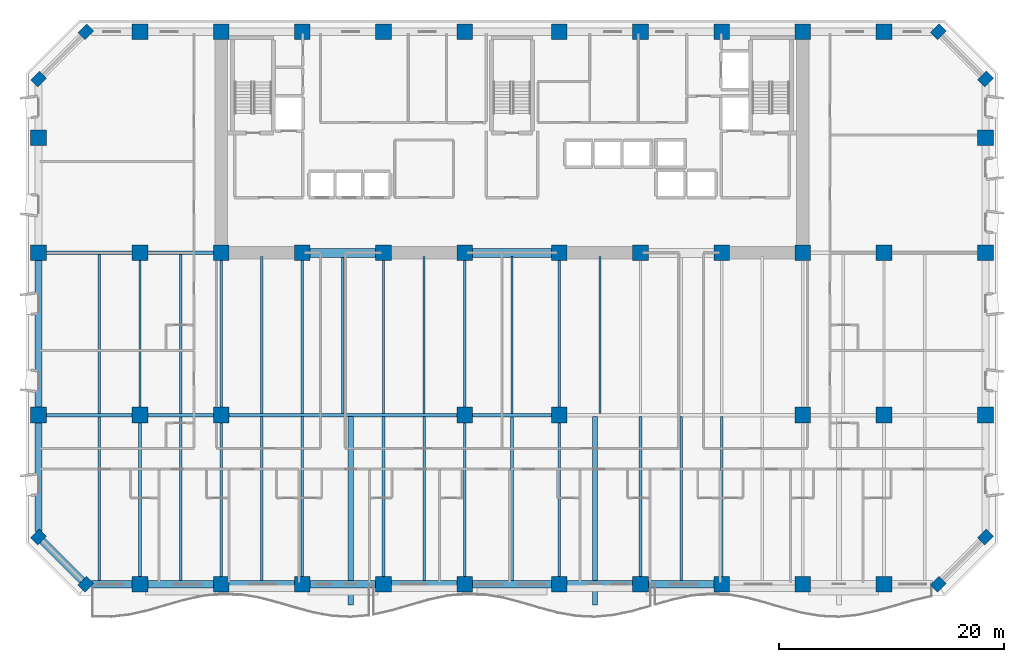
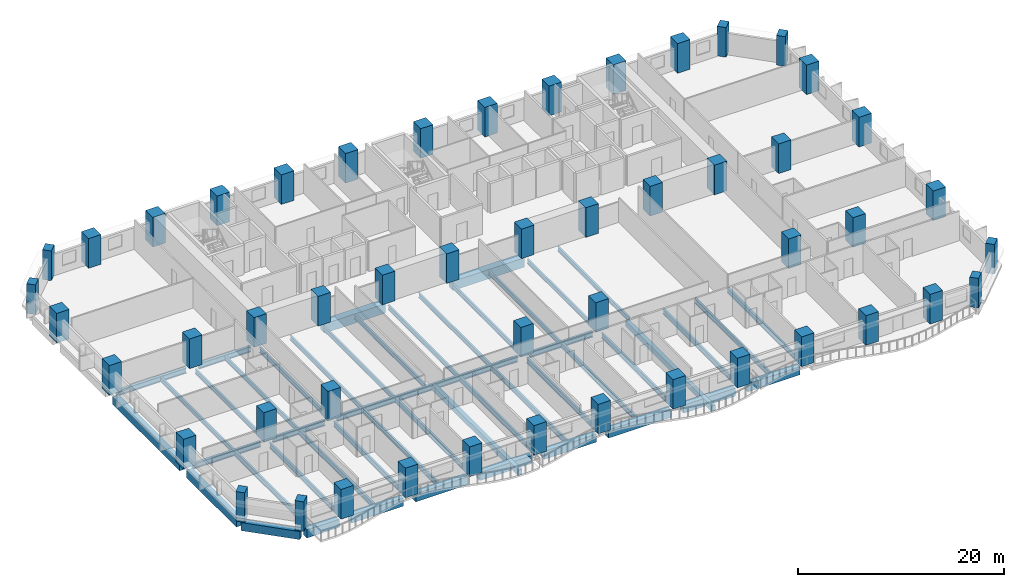
# One storey, part 1 of 15: 50 columns, 48 beams.
"""IFC4 building model written with IfcOpenShell, lengths in metres."""

from ifc_helpers import new_model, si_unit, direction, frame, origin, origin_2d, place, context, subcontext, project, spatial, rectangle, i_section, extrude, material, material_profile, profile_set, type_object, element, save


model = new_model("IFC4")

# Units and contexts
model_context = context("Model", 3, precision=1e-05, world=origin(), true_north=direction((0.0, 1.0)))
body_context = subcontext(model_context, "Body", "Model", "MODEL_VIEW")
ifc_project = project(units=[si_unit("LENGTHUNIT", "METRE"), si_unit("AREAUNIT", "SQUARE_METRE"), si_unit("VOLUMEUNIT", "CUBIC_METRE"), si_unit("PLANEANGLEUNIT", "RADIAN"), si_unit("MASSUNIT", "GRAM", prefix="KILO")], contexts=[model_context])

# Site, building, storey
site_placement = place(None, origin())
site = spatial("IfcSite", under=ifc_project, at=site_placement, CompositionType="ELEMENT")
building_placement = place(site_placement, origin())
building = spatial("IfcBuilding", under=site, at=building_placement, Name="Kaelvorn Grand Hotel", CompositionType="ELEMENT")
storey_placement = place(building_placement, frame((0.0, 0.0, 46.39990234375)))
storey = spatial("IfcBuildingStorey", under=building, at=storey_placement, Name="L09", CompositionType="ELEMENT", Elevation=46.39990234375)

# Columns
ifc_material_1 = material(Name="Concrete C80/95", Category="concrete")
ifc_material_profile_1 = material_profile(ifc_material_1, rectangle(XDim=1.10009765625, YDim=0.89990234375, at=origin_2d()), Name="RC PILASTER 1100x900")
ifc_profile_set_1 = profile_set([ifc_material_profile_1], Name="Concrete C80/95")
column_type_1 = type_object("IfcColumnType", Name="COL-PIL-1100x900-C80", PredefinedType="PILASTER", material=ifc_profile_set_1)
for number, where, z_axis, x_axis, name in (
    (1, (4.199951171875, 0.0, 0.0), (0.0, 0.0, 1.0), (0.707106781187, 0.707106781187, 0.0), "L09 Structural Column CH-01"),
    (2, (79.800048828125, 0.0, 0.0), (0.0, 0.0, 1.0), (0.707106781187, 0.707106781187, 0.0), "L09 Structural Column CH-02"),
    (3, (84.0, 4.199951171875, 0.0), (0.0, 0.0, 1.0), (0.707106781187, 0.707106781187, 0.0), "L09 Structural Column CH-03"),
    (4, (84.0, 44.800048828125, 0.0), (0.0, 0.0, 1.0), (0.707106781187, 0.707106781187, 0.0), "L09 Structural Column CH-04"),
    (5, (79.800048828125, 49.0, 0.0), (0.0, 0.0, 1.0), (0.707106781187, 0.707106781187, 0.0), "L09 Structural Column CH-05"),
    (6, (4.199951171875, 49.0, 0.0), (0.0, 0.0, 1.0), (0.707106781187, 0.707106781187, 0.0), "L09 Structural Column CH-06"),
    (7, (0.0, 44.800048828125, 0.0), (0.0, 0.0, 1.0), (0.707106781187, 0.707106781187, 0.0), "L09 Structural Column CH-07"),
    (8, (0.0, 4.199951171875, 0.0), (0.0, 0.0, 1.0), (0.707106781187, 0.707106781187, 0.0), "L09 Structural Column CH-08"),
):
    element("IfcColumn", number, at=place(storey_placement, frame(where, z_axis=z_axis, x_axis=x_axis)), inside=storey, type_object=column_type_1, Name=name, PredefinedType="PILASTER", context=body_context, shape_type="SweptSolid", body=[
        extrude(rectangle(XDim=1.10009765625, YDim=0.89990234375, at=origin_2d()), origin(), (0.0, 0.0, 1.0), 3.510009765625),
    ])
ifc_material_profile_2 = material_profile(ifc_material_1, rectangle(XDim=1.39990234375, YDim=1.39990234375, at=origin_2d()), Name="RC COL 1400x1400")
ifc_profile_set_2 = profile_set([ifc_material_profile_2], Name="Concrete C80/95")
column_type_2 = type_object("IfcColumnType", Name="COL-RC-1400-C80", PredefinedType="COLUMN", material=ifc_profile_set_2)
for number, where, z_axis, x_axis, name in (
    (9, (9.0, 0.0, 0.0), (0.0, 0.0, 1.0), (1.0, 0.0, 0.0), "L09 Structural Column S-01"),
    (10, (16.199951171875, 0.0, 0.0), (0.0, 0.0, 1.0), (1.0, 0.0, 0.0), "L09 Structural Column S-02"),
    (11, (23.39990234375, 0.0, 0.0), (0.0, 0.0, 1.0), (1.0, 0.0, 0.0), "L09 Structural Column S-03"),
    (12, (30.60009765625, 0.0, 0.0), (0.0, 0.0, 1.0), (1.0, 0.0, 0.0), "L09 Structural Column S-04"),
    (13, (37.800048828125, 0.0, 0.0), (0.0, 0.0, 1.0), (1.0, 0.0, 0.0), "L09 Structural Column S-05"),
    (14, (46.199951171875, 0.0, 0.0), (0.0, 0.0, 1.0), (1.0, 0.0, 0.0), "L09 Structural Column S-06"),
    (15, (53.39990234375, 0.0, 0.0), (0.0, 0.0, 1.0), (1.0, 0.0, 0.0), "L09 Structural Column S-07"),
    (16, (60.60009765625, 0.0, 0.0), (0.0, 0.0, 1.0), (1.0, 0.0, 0.0), "L09 Structural Column S-08"),
    (17, (67.800048828125, 0.0, 0.0), (0.0, 0.0, 1.0), (1.0, 0.0, 0.0), "L09 Structural Column S-09"),
    (18, (75.0, 0.0, 0.0), (0.0, 0.0, 1.0), (1.0, 0.0, 0.0), "L09 Structural Column S-10"),
    (19, (0.0, 15.0, 0.0), (0.0, 0.0, 1.0), (1.0, 0.0, 0.0), "L09 Structural Column W-01"),
    (20, (84.0, 15.0, 0.0), (0.0, 0.0, 1.0), (1.0, 0.0, 0.0), "L09 Structural Column E-01"),
    (21, (0.0, 29.39990234375, 0.0), (0.0, 0.0, 1.0), (1.0, 0.0, 0.0), "L09 Structural Column W-02"),
    (22, (84.0, 29.39990234375, 0.0), (0.0, 0.0, 1.0), (1.0, 0.0, 0.0), "L09 Structural Column E-02"),
    (23, (0.0, 39.60009765625, 0.0), (0.0, 0.0, 1.0), (1.0, 0.0, 0.0), "L09 Structural Column W-03"),
    (24, (84.0, 39.60009765625, 0.0), (0.0, 0.0, 1.0), (1.0, 0.0, 0.0), "L09 Structural Column E-03"),
    (25, (9.0, 15.0, 0.0), (0.0, 0.0, 1.0), (1.0, 0.0, 0.0), "L09 Structural Column M-01"),
    (26, (16.199951171875, 15.0, 0.0), (0.0, 0.0, 1.0), (1.0, 0.0, 0.0), "L09 Structural Column M-02"),
    (27, (37.800048828125, 15.0, 0.0), (0.0, 0.0, 1.0), (1.0, 0.0, 0.0), "L09 Structural Column M-03"),
    (28, (46.199951171875, 15.0, 0.0), (0.0, 0.0, 1.0), (1.0, 0.0, 0.0), "L09 Structural Column M-04"),
    (29, (67.800048828125, 15.0, 0.0), (0.0, 0.0, 1.0), (1.0, 0.0, 0.0), "L09 Structural Column M-05"),
    (30, (75.0, 15.0, 0.0), (0.0, 0.0, 1.0), (1.0, 0.0, 0.0), "L09 Structural Column M-06"),
    (31, (9.0, 29.39990234375, 0.0), (0.0, 0.0, 1.0), (1.0, 0.0, 0.0), "L09 Structural Column CR1-01"),
    (32, (9.0, 49.0, 0.0), (0.0, 0.0, 1.0), (1.0, 0.0, 0.0), "L09 Structural Column CR2-01"),
    (33, (16.199951171875, 29.39990234375, 0.0), (0.0, 0.0, 1.0), (1.0, 0.0, 0.0), "L09 Structural Column CR1-02"),
    (34, (16.199951171875, 49.0, 0.0), (0.0, 0.0, 1.0), (1.0, 0.0, 0.0), "L09 Structural Column CR2-02"),
    (35, (23.39990234375, 29.39990234375, 0.0), (0.0, 0.0, 1.0), (1.0, 0.0, 0.0), "L09 Structural Column CR1-03"),
    (36, (23.39990234375, 49.0, 0.0), (0.0, 0.0, 1.0), (1.0, 0.0, 0.0), "L09 Structural Column CR2-03"),
    (37, (30.60009765625, 29.39990234375, 0.0), (0.0, 0.0, 1.0), (1.0, 0.0, 0.0), "L09 Structural Column CR1-04"),
    (38, (30.60009765625, 49.0, 0.0), (0.0, 0.0, 1.0), (1.0, 0.0, 0.0), "L09 Structural Column CR2-04"),
    (39, (37.800048828125, 29.39990234375, 0.0), (0.0, 0.0, 1.0), (1.0, 0.0, 0.0), "L09 Structural Column CR1-05"),
    (40, (37.800048828125, 49.0, 0.0), (0.0, 0.0, 1.0), (1.0, 0.0, 0.0), "L09 Structural Column CR2-05"),
    (41, (46.199951171875, 29.39990234375, 0.0), (0.0, 0.0, 1.0), (1.0, 0.0, 0.0), "L09 Structural Column CR1-06"),
    (42, (46.199951171875, 49.0, 0.0), (0.0, 0.0, 1.0), (1.0, 0.0, 0.0), "L09 Structural Column CR2-06"),
    (43, (53.39990234375, 29.39990234375, 0.0), (0.0, 0.0, 1.0), (1.0, 0.0, 0.0), "L09 Structural Column CR1-07"),
    (44, (53.39990234375, 49.0, 0.0), (0.0, 0.0, 1.0), (1.0, 0.0, 0.0), "L09 Structural Column CR2-07"),
    (45, (60.60009765625, 29.39990234375, 0.0), (0.0, 0.0, 1.0), (1.0, 0.0, 0.0), "L09 Structural Column CR1-08"),
    (46, (60.60009765625, 49.0, 0.0), (0.0, 0.0, 1.0), (1.0, 0.0, 0.0), "L09 Structural Column CR2-08"),
    (47, (67.800048828125, 29.39990234375, 0.0), (0.0, 0.0, 1.0), (1.0, 0.0, 0.0), "L09 Structural Column CR1-09"),
    (48, (67.800048828125, 49.0, 0.0), (0.0, 0.0, 1.0), (1.0, 0.0, 0.0), "L09 Structural Column CR2-09"),
    (49, (75.0, 29.39990234375, 0.0), (0.0, 0.0, 1.0), (1.0, 0.0, 0.0), "L09 Structural Column CR1-10"),
    (50, (75.0, 49.0, 0.0), (0.0, 0.0, 1.0), (1.0, 0.0, 0.0), "L09 Structural Column CR2-10"),
):
    element("IfcColumn", number, at=place(storey_placement, frame(where, z_axis=z_axis, x_axis=x_axis)), inside=storey, type_object=column_type_2, Name=name, PredefinedType="COLUMN", context=body_context, shape_type="SweptSolid", body=[
        extrude(rectangle(XDim=1.39990234375, YDim=1.39990234375, at=origin_2d()), origin(), (0.0, 0.0, 1.0), 3.510009765625),
    ])

# Beams
ifc_material_2 = material(Name="Steel S355", Category="steel")
ifc_material_profile_3 = material_profile(ifc_material_2, i_section(OverallWidth=0.300048828125, OverallDepth=0.64990234375, WebThickness=0.01611328125, FlangeThickness=0.031005859375, FilletRadius=0.027099609375, at=origin_2d()), Name="HEB 650")
ifc_profile_set_3 = profile_set([ifc_material_profile_3], Name="Steel S355")
beam_type_1 = type_object("IfcBeamType", Name="BM-G-HEB650-S355", PredefinedType="BEAM", material=ifc_profile_set_3)
beam_1_placement = place(storey_placement, frame((0.68505859375, 15.0, -0.56494140625), z_axis=(1.0, 0.0, 0.0), x_axis=(0.0, 1.0, 0.0)))
element("IfcBeam", 51, at=beam_1_placement, inside=storey, type_object=beam_type_1, Name="L09 Primary Spine Steel Girder G-15 01", PredefinedType="BEAM", context=body_context, shape_type="SweptSolid", body=[
    extrude(i_section(OverallWidth=0.300048828125, OverallDepth=0.64990234375, WebThickness=0.01611328125, FlangeThickness=0.031005859375, FilletRadius=0.027099609375, at=origin_2d()), origin(), (0.0, 0.0, 1.0), 7.6298828125),
])
beam_2_placement = place(storey_placement, frame((9.68505859375, 15.0, -0.56494140625), z_axis=(1.0, 0.0, 0.0), x_axis=(0.0, 1.0, 0.0)))
element("IfcBeam", 52, at=beam_2_placement, inside=storey, type_object=beam_type_1, Name="L09 Primary Spine Steel Girder G-15 02", PredefinedType="BEAM", context=body_context, shape_type="SweptSolid", body=[
    extrude(i_section(OverallWidth=0.300048828125, OverallDepth=0.64990234375, WebThickness=0.01611328125, FlangeThickness=0.031005859375, FilletRadius=0.027099609375, at=origin_2d()), origin(), (0.0, 0.0, 1.0), 5.829833984375),
])
beam_3_placement = place(storey_placement, frame((16.885009765625, 15.0, -0.56494140625), z_axis=(1.0, 0.0, 0.0), x_axis=(0.0, 1.0, 0.0)))
element("IfcBeam", 53, at=beam_3_placement, inside=storey, type_object=beam_type_1, Name="L09 Primary Spine Steel Girder G-15 03", PredefinedType="BEAM", context=body_context, shape_type="SweptSolid", body=[
    extrude(i_section(OverallWidth=0.300048828125, OverallDepth=0.64990234375, WebThickness=0.01611328125, FlangeThickness=0.031005859375, FilletRadius=0.027099609375, at=origin_2d()), origin(), (0.0, 0.0, 1.0), 20.22998046875),
])
beam_4_placement = place(storey_placement, frame((38.485107421875, 15.0, -0.56494140625), z_axis=(1.0, 0.0, 0.0), x_axis=(0.0, 1.0, 0.0)))
element("IfcBeam", 54, at=beam_4_placement, inside=storey, type_object=beam_type_1, Name="L09 Primary Spine Steel Girder G-15 04", PredefinedType="BEAM", context=body_context, shape_type="SweptSolid", body=[
    extrude(i_section(OverallWidth=0.300048828125, OverallDepth=0.64990234375, WebThickness=0.01611328125, FlangeThickness=0.031005859375, FilletRadius=0.027099609375, at=origin_2d()), origin(), (0.0, 0.0, 1.0), 7.02978515625),
])
beam_5_placement = place(storey_placement, frame((0.68505859375, 29.39990234375, -0.56494140625), z_axis=(1.0, 0.0, 0.0), x_axis=(0.0, 1.0, 0.0)))
element("IfcBeam", 55, at=beam_5_placement, inside=storey, type_object=beam_type_1, Name="L09 West Core Wing Steel Girder G-29W 01", PredefinedType="BEAM", context=body_context, shape_type="SweptSolid", body=[
    extrude(i_section(OverallWidth=0.300048828125, OverallDepth=0.64990234375, WebThickness=0.01611328125, FlangeThickness=0.031005859375, FilletRadius=0.027099609375, at=origin_2d()), origin(), (0.0, 0.0, 1.0), 7.6298828125),
])
beam_6_placement = place(storey_placement, frame((9.68505859375, 29.39990234375, -0.56494140625), z_axis=(1.0, 0.0, 0.0), x_axis=(0.0, 1.0, 0.0)))
element("IfcBeam", 56, at=beam_6_placement, inside=storey, type_object=beam_type_1, Name="L09 West Core Wing Steel Girder G-29W 02", PredefinedType="BEAM", context=body_context, shape_type="SweptSolid", body=[
    extrude(i_section(OverallWidth=0.300048828125, OverallDepth=0.64990234375, WebThickness=0.01611328125, FlangeThickness=0.031005859375, FilletRadius=0.027099609375, at=origin_2d()), origin(), (0.0, 0.0, 1.0), 5.829833984375),
])
ifc_material_profile_4 = material_profile(ifc_material_2, i_section(OverallWidth=0.209228515625, OverallDepth=0.533203125, WebThickness=0.010009765625, FlangeThickness=0.015625, FilletRadius=0.0126953125, at=origin_2d()), Name="UB 533x210x92")
ifc_profile_set_4 = profile_set([ifc_material_profile_4], Name="Steel S355")
beam_type_2 = type_object("IfcBeamType", Name="BM-J-UB533-S355", PredefinedType="JOIST", material=ifc_profile_set_4)
beam_7_placement = place(storey_placement, frame((5.39990234375, 15.135009765625, -0.50634765625), z_axis=(0.0, 1.0, 0.0), x_axis=(-1.0, 0.0, 0.0)))
element("IfcBeam", 57, at=beam_7_placement, inside=storey, type_object=beam_type_2, Name="L09 Composite Floor Joist JM-02", PredefinedType="JOIST", context=body_context, shape_type="SweptSolid", body=[
    extrude(i_section(OverallWidth=0.209228515625, OverallDepth=0.533203125, WebThickness=0.010009765625, FlangeThickness=0.015625, FilletRadius=0.0126953125, at=origin_2d()), origin(), (0.0, 0.0, 1.0), 14.1298828125),
])
beam_8_placement = place(storey_placement, frame((9.0, 15.68505859375, -0.50634765625), z_axis=(0.0, 1.0, 0.0), x_axis=(-1.0, 0.0, 0.0)))
element("IfcBeam", 58, at=beam_8_placement, inside=storey, type_object=beam_type_2, Name="L09 Composite Floor Joist JM-03", PredefinedType="JOIST", context=body_context, shape_type="SweptSolid", body=[
    extrude(i_section(OverallWidth=0.209228515625, OverallDepth=0.533203125, WebThickness=0.010009765625, FlangeThickness=0.015625, FilletRadius=0.0126953125, at=origin_2d()), origin(), (0.0, 0.0, 1.0), 13.030029296875),
])
beam_9_placement = place(storey_placement, frame((12.60009765625, 15.135009765625, -0.50634765625), z_axis=(0.0, 1.0, 0.0), x_axis=(-1.0, 0.0, 0.0)))
element("IfcBeam", 59, at=beam_9_placement, inside=storey, type_object=beam_type_2, Name="L09 Composite Floor Joist JM-04", PredefinedType="JOIST", context=body_context, shape_type="SweptSolid", body=[
    extrude(i_section(OverallWidth=0.209228515625, OverallDepth=0.533203125, WebThickness=0.010009765625, FlangeThickness=0.015625, FilletRadius=0.0126953125, at=origin_2d()), origin(), (0.0, 0.0, 1.0), 14.1298828125),
])
beam_10_placement = place(storey_placement, frame((16.199951171875, 15.68505859375, -0.50634765625), z_axis=(0.0, 1.0, 0.0), x_axis=(-1.0, 0.0, 0.0)))
element("IfcBeam", 60, at=beam_10_placement, inside=storey, type_object=beam_type_2, Name="L09 Composite Floor Joist JM-05", PredefinedType="JOIST", context=body_context, shape_type="SweptSolid", body=[
    extrude(i_section(OverallWidth=0.209228515625, OverallDepth=0.533203125, WebThickness=0.010009765625, FlangeThickness=0.015625, FilletRadius=0.0126953125, at=origin_2d()), origin(), (0.0, 0.0, 1.0), 13.030029296875),
])
beam_11_placement = place(storey_placement, frame((19.800048828125, 15.135009765625, -0.50634765625), z_axis=(0.0, 1.0, 0.0), x_axis=(-1.0, 0.0, 0.0)))
element("IfcBeam", 61, at=beam_11_placement, inside=storey, type_object=beam_type_2, Name="L09 Composite Floor Joist JM-06", PredefinedType="JOIST", context=body_context, shape_type="SweptSolid", body=[
    extrude(i_section(OverallWidth=0.209228515625, OverallDepth=0.533203125, WebThickness=0.010009765625, FlangeThickness=0.015625, FilletRadius=0.0126953125, at=origin_2d()), origin(), (0.0, 0.0, 1.0), 13.925048828125),
])
beam_12_placement = place(storey_placement, frame((23.39990234375, 15.135009765625, -0.50634765625), z_axis=(0.0, 1.0, 0.0), x_axis=(-1.0, 0.0, 0.0)))
element("IfcBeam", 62, at=beam_12_placement, inside=storey, type_object=beam_type_2, Name="L09 Composite Floor Joist JM-07", PredefinedType="JOIST", context=body_context, shape_type="SweptSolid", body=[
    extrude(i_section(OverallWidth=0.209228515625, OverallDepth=0.533203125, WebThickness=0.010009765625, FlangeThickness=0.015625, FilletRadius=0.0126953125, at=origin_2d()), origin(), (0.0, 0.0, 1.0), 13.580078125),
])
beam_13_placement = place(storey_placement, frame((27.0, 15.135009765625, -0.50634765625), z_axis=(0.0, 1.0, 0.0), x_axis=(-1.0, 0.0, 0.0)))
element("IfcBeam", 63, at=beam_13_placement, inside=storey, type_object=beam_type_2, Name="L09 Composite Floor Joist JM-08", PredefinedType="JOIST", context=body_context, shape_type="SweptSolid", body=[
    extrude(i_section(OverallWidth=0.209228515625, OverallDepth=0.533203125, WebThickness=0.010009765625, FlangeThickness=0.015625, FilletRadius=0.0126953125, at=origin_2d()), origin(), (0.0, 0.0, 1.0), 13.925048828125),
])
beam_14_placement = place(storey_placement, frame((30.60009765625, 15.135009765625, -0.50634765625), z_axis=(0.0, 1.0, 0.0), x_axis=(-1.0, 0.0, 0.0)))
element("IfcBeam", 64, at=beam_14_placement, inside=storey, type_object=beam_type_2, Name="L09 Composite Floor Joist JM-09", PredefinedType="JOIST", context=body_context, shape_type="SweptSolid", body=[
    extrude(i_section(OverallWidth=0.209228515625, OverallDepth=0.533203125, WebThickness=0.010009765625, FlangeThickness=0.015625, FilletRadius=0.0126953125, at=origin_2d()), origin(), (0.0, 0.0, 1.0), 13.580078125),
])
beam_15_placement = place(storey_placement, frame((34.199951171875, 15.135009765625, -0.50634765625), z_axis=(0.0, 1.0, 0.0), x_axis=(-1.0, 0.0, 0.0)))
element("IfcBeam", 65, at=beam_15_placement, inside=storey, type_object=beam_type_2, Name="L09 Composite Floor Joist JM-10", PredefinedType="JOIST", context=body_context, shape_type="SweptSolid", body=[
    extrude(i_section(OverallWidth=0.209228515625, OverallDepth=0.533203125, WebThickness=0.010009765625, FlangeThickness=0.015625, FilletRadius=0.0126953125, at=origin_2d()), origin(), (0.0, 0.0, 1.0), 13.925048828125),
])
beam_16_placement = place(storey_placement, frame((37.800048828125, 15.68505859375, -0.50634765625), z_axis=(0.0, 1.0, 0.0), x_axis=(-1.0, 0.0, 0.0)))
element("IfcBeam", 66, at=beam_16_placement, inside=storey, type_object=beam_type_2, Name="L09 Composite Floor Joist JM-11", PredefinedType="JOIST", context=body_context, shape_type="SweptSolid", body=[
    extrude(i_section(OverallWidth=0.209228515625, OverallDepth=0.533203125, WebThickness=0.010009765625, FlangeThickness=0.015625, FilletRadius=0.0126953125, at=origin_2d()), origin(), (0.0, 0.0, 1.0), 13.030029296875),
])
beam_17_placement = place(storey_placement, frame((42.0, 15.135009765625, -0.50634765625), z_axis=(0.0, 1.0, 0.0), x_axis=(-1.0, 0.0, 0.0)))
element("IfcBeam", 67, at=beam_17_placement, inside=storey, type_object=beam_type_2, Name="L09 Composite Floor Joist JM-12", PredefinedType="JOIST", context=body_context, shape_type="SweptSolid", body=[
    extrude(i_section(OverallWidth=0.209228515625, OverallDepth=0.533203125, WebThickness=0.010009765625, FlangeThickness=0.015625, FilletRadius=0.0126953125, at=origin_2d()), origin(), (0.0, 0.0, 1.0), 13.925048828125),
])
beam_18_placement = place(storey_placement, frame((46.199951171875, 15.68505859375, -0.50634765625), z_axis=(0.0, 1.0, 0.0), x_axis=(-1.0, 0.0, 0.0)))
element("IfcBeam", 68, at=beam_18_placement, inside=storey, type_object=beam_type_2, Name="L09 Composite Floor Joist JM-13", PredefinedType="JOIST", context=body_context, shape_type="SweptSolid", body=[
    extrude(i_section(OverallWidth=0.209228515625, OverallDepth=0.533203125, WebThickness=0.010009765625, FlangeThickness=0.015625, FilletRadius=0.0126953125, at=origin_2d()), origin(), (0.0, 0.0, 1.0), 13.030029296875),
])
beam_19_placement = place(storey_placement, frame((49.800048828125, 15.135009765625, -0.50634765625), z_axis=(0.0, 1.0, 0.0), x_axis=(-1.0, 0.0, 0.0)))
element("IfcBeam", 69, at=beam_19_placement, inside=storey, type_object=beam_type_2, Name="L09 Composite Floor Joist JM-14", PredefinedType="JOIST", context=body_context, shape_type="SweptSolid", body=[
    extrude(i_section(OverallWidth=0.209228515625, OverallDepth=0.533203125, WebThickness=0.010009765625, FlangeThickness=0.015625, FilletRadius=0.0126953125, at=origin_2d()), origin(), (0.0, 0.0, 1.0), 13.925048828125),
])
ifc_material_profile_5 = material_profile(ifc_material_2, i_section(OverallWidth=0.22900390625, OverallDepth=0.6123046875, WebThickness=0.011962890625, FlangeThickness=0.01953125, FilletRadius=0.0126953125, at=origin_2d()), Name="UB 610x229x125")
ifc_profile_set_5 = profile_set([ifc_material_profile_5], Name="Steel S355")
beam_type_3 = type_object("IfcBeamType", Name="BM-J-UB610-S355", PredefinedType="JOIST", material=ifc_profile_set_5)
beam_20_placement = place(storey_placement, frame((5.39990234375, 0.31005859375, -0.5458984375), z_axis=(0.0, 1.0, 0.0), x_axis=(-1.0, 0.0, 0.0)))
element("IfcBeam", 70, at=beam_20_placement, inside=storey, type_object=beam_type_3, Name="L09 Composite Floor Joist JS-02", PredefinedType="JOIST", context=body_context, shape_type="SweptSolid", body=[
    extrude(i_section(OverallWidth=0.22900390625, OverallDepth=0.6123046875, WebThickness=0.011962890625, FlangeThickness=0.01953125, FilletRadius=0.0126953125, at=origin_2d()), origin(), (0.0, 0.0, 1.0), 14.554931640625),
])
beam_21_placement = place(storey_placement, frame((9.0, 0.68505859375, -0.5458984375), z_axis=(0.0, 1.0, 0.0), x_axis=(-1.0, 0.0, 0.0)))
element("IfcBeam", 71, at=beam_21_placement, inside=storey, type_object=beam_type_3, Name="L09 Composite Floor Joist JS-03", PredefinedType="JOIST", context=body_context, shape_type="SweptSolid", body=[
    extrude(i_section(OverallWidth=0.22900390625, OverallDepth=0.6123046875, WebThickness=0.011962890625, FlangeThickness=0.01953125, FilletRadius=0.0126953125, at=origin_2d()), origin(), (0.0, 0.0, 1.0), 13.6298828125),
])
beam_22_placement = place(storey_placement, frame((12.60009765625, 0.31005859375, -0.5458984375), z_axis=(0.0, 1.0, 0.0), x_axis=(-1.0, 0.0, 0.0)))
element("IfcBeam", 72, at=beam_22_placement, inside=storey, type_object=beam_type_3, Name="L09 Composite Floor Joist JS-04", PredefinedType="JOIST", context=body_context, shape_type="SweptSolid", body=[
    extrude(i_section(OverallWidth=0.22900390625, OverallDepth=0.6123046875, WebThickness=0.011962890625, FlangeThickness=0.01953125, FilletRadius=0.0126953125, at=origin_2d()), origin(), (0.0, 0.0, 1.0), 14.554931640625),
])
beam_23_placement = place(storey_placement, frame((16.199951171875, 0.68505859375, -0.5458984375), z_axis=(0.0, 1.0, 0.0), x_axis=(-1.0, 0.0, 0.0)))
element("IfcBeam", 73, at=beam_23_placement, inside=storey, type_object=beam_type_3, Name="L09 Composite Floor Joist JS-05", PredefinedType="JOIST", context=body_context, shape_type="SweptSolid", body=[
    extrude(i_section(OverallWidth=0.22900390625, OverallDepth=0.6123046875, WebThickness=0.011962890625, FlangeThickness=0.01953125, FilletRadius=0.0126953125, at=origin_2d()), origin(), (0.0, 0.0, 1.0), 13.6298828125),
])
beam_24_placement = place(storey_placement, frame((19.800048828125, 0.31005859375, -0.5458984375), z_axis=(0.0, 1.0, 0.0), x_axis=(-1.0, 0.0, 0.0)))
element("IfcBeam", 74, at=beam_24_placement, inside=storey, type_object=beam_type_3, Name="L09 Composite Floor Joist JS-06", PredefinedType="JOIST", context=body_context, shape_type="SweptSolid", body=[
    extrude(i_section(OverallWidth=0.22900390625, OverallDepth=0.6123046875, WebThickness=0.011962890625, FlangeThickness=0.01953125, FilletRadius=0.0126953125, at=origin_2d()), origin(), (0.0, 0.0, 1.0), 14.554931640625),
])
for number, where, z_axis, x_axis, name in (
    (75, (23.39990234375, 0.68505859375, -0.5458984375), (0.0, 1.0, 0.0), (-1.0, 0.0, 0.0), "L09 Composite Floor Joist JS-07"),
    (76, (30.60009765625, 0.68505859375, -0.5458984375), (0.0, 1.0, 0.0), (-1.0, 0.0, 0.0), "L09 Composite Floor Joist JS-09"),
):
    element("IfcBeam", number, at=place(storey_placement, frame(where, z_axis=z_axis, x_axis=x_axis)), inside=storey, type_object=beam_type_3, Name=name, PredefinedType="JOIST", context=body_context, shape_type="SweptSolid", body=[
        extrude(i_section(OverallWidth=0.22900390625, OverallDepth=0.6123046875, WebThickness=0.011962890625, FlangeThickness=0.01953125, FilletRadius=0.0126953125, at=origin_2d()), origin(), (0.0, 0.0, 1.0), 14.179931640625),
    ])
beam_25_placement = place(storey_placement, frame((34.199951171875, 0.31005859375, -0.5458984375), z_axis=(0.0, 1.0, 0.0), x_axis=(-1.0, 0.0, 0.0)))
element("IfcBeam", 77, at=beam_25_placement, inside=storey, type_object=beam_type_3, Name="L09 Composite Floor Joist JS-10", PredefinedType="JOIST", context=body_context, shape_type="SweptSolid", body=[
    extrude(i_section(OverallWidth=0.22900390625, OverallDepth=0.6123046875, WebThickness=0.011962890625, FlangeThickness=0.01953125, FilletRadius=0.0126953125, at=origin_2d()), origin(), (0.0, 0.0, 1.0), 14.554931640625),
])
beam_26_placement = place(storey_placement, frame((37.800048828125, 0.68505859375, -0.5458984375), z_axis=(0.0, 1.0, 0.0), x_axis=(-1.0, 0.0, 0.0)))
element("IfcBeam", 78, at=beam_26_placement, inside=storey, type_object=beam_type_3, Name="L09 Composite Floor Joist JS-11", PredefinedType="JOIST", context=body_context, shape_type="SweptSolid", body=[
    extrude(i_section(OverallWidth=0.22900390625, OverallDepth=0.6123046875, WebThickness=0.011962890625, FlangeThickness=0.01953125, FilletRadius=0.0126953125, at=origin_2d()), origin(), (0.0, 0.0, 1.0), 13.6298828125),
])
beam_27_placement = place(storey_placement, frame((42.0, 0.31005859375, -0.5458984375), z_axis=(0.0, 1.0, 0.0), x_axis=(-1.0, 0.0, 0.0)))
element("IfcBeam", 79, at=beam_27_placement, inside=storey, type_object=beam_type_3, Name="L09 Composite Floor Joist JS-12", PredefinedType="JOIST", context=body_context, shape_type="SweptSolid", body=[
    extrude(i_section(OverallWidth=0.22900390625, OverallDepth=0.6123046875, WebThickness=0.011962890625, FlangeThickness=0.01953125, FilletRadius=0.0126953125, at=origin_2d()), origin(), (0.0, 0.0, 1.0), 14.554931640625),
])
beam_28_placement = place(storey_placement, frame((46.199951171875, 0.68505859375, -0.5458984375), z_axis=(0.0, 1.0, 0.0), x_axis=(-1.0, 0.0, 0.0)))
element("IfcBeam", 80, at=beam_28_placement, inside=storey, type_object=beam_type_3, Name="L09 Composite Floor Joist JS-13", PredefinedType="JOIST", context=body_context, shape_type="SweptSolid", body=[
    extrude(i_section(OverallWidth=0.22900390625, OverallDepth=0.6123046875, WebThickness=0.011962890625, FlangeThickness=0.01953125, FilletRadius=0.0126953125, at=origin_2d()), origin(), (0.0, 0.0, 1.0), 13.6298828125),
])
beam_29_placement = place(storey_placement, frame((53.39990234375, 0.68505859375, -0.5458984375), z_axis=(0.0, 1.0, 0.0), x_axis=(-1.0, 0.0, 0.0)))
element("IfcBeam", 81, at=beam_29_placement, inside=storey, type_object=beam_type_3, Name="L09 Composite Floor Joist JS-15", PredefinedType="JOIST", context=body_context, shape_type="SweptSolid", body=[
    extrude(i_section(OverallWidth=0.22900390625, OverallDepth=0.6123046875, WebThickness=0.011962890625, FlangeThickness=0.01953125, FilletRadius=0.0126953125, at=origin_2d()), origin(), (0.0, 0.0, 1.0), 14.179931640625),
])
beam_30_placement = place(storey_placement, frame((57.0, 0.31005859375, -0.5458984375), z_axis=(0.0, 1.0, 0.0), x_axis=(-1.0, 0.0, 0.0)))
element("IfcBeam", 82, at=beam_30_placement, inside=storey, type_object=beam_type_3, Name="L09 Composite Floor Joist JS-16", PredefinedType="JOIST", context=body_context, shape_type="SweptSolid", body=[
    extrude(i_section(OverallWidth=0.22900390625, OverallDepth=0.6123046875, WebThickness=0.011962890625, FlangeThickness=0.01953125, FilletRadius=0.0126953125, at=origin_2d()), origin(), (0.0, 0.0, 1.0), 14.554931640625),
])
beam_31_placement = place(storey_placement, frame((60.60009765625, 0.68505859375, -0.5458984375), z_axis=(0.0, 1.0, 0.0), x_axis=(-1.0, 0.0, 0.0)))
element("IfcBeam", 83, at=beam_31_placement, inside=storey, type_object=beam_type_3, Name="L09 Composite Floor Joist JS-17", PredefinedType="JOIST", context=body_context, shape_type="SweptSolid", body=[
    extrude(i_section(OverallWidth=0.22900390625, OverallDepth=0.6123046875, WebThickness=0.011962890625, FlangeThickness=0.01953125, FilletRadius=0.0126953125, at=origin_2d()), origin(), (0.0, 0.0, 1.0), 14.179931640625),
])
ifc_material_3 = material(Name="Concrete C60/75", Category="concrete")
ifc_material_profile_6 = material_profile(ifc_material_3, rectangle(XDim=0.800048828125, YDim=1.10009765625, at=origin_2d()), Name="RC LINTEL 800x1100")
ifc_profile_set_6 = profile_set([ifc_material_profile_6], Name="Concrete C60/75")
beam_type_4 = type_object("IfcBeamType", Name="BM-LIN-800x1100-C60", PredefinedType="LINTEL", material=ifc_profile_set_6)
beam_32_placement = place(storey_placement, frame((23.580078125, 29.39990234375, -0.789794921875), z_axis=(1.0, 0.0, 0.0), x_axis=(0.0, 1.0, 0.0)))
element("IfcBeam", 84, at=beam_32_placement, inside=storey, type_object=beam_type_4, Name="L09 Rear-Core Coupling Lintel Beam CB1-01", PredefinedType="LINTEL", context=body_context, shape_type="SweptSolid", body=[
    extrude(rectangle(XDim=0.800048828125, YDim=1.10009765625, at=origin_2d()), origin(), (0.0, 0.0, 1.0), 6.83984375),
])
beam_33_placement = place(storey_placement, frame((37.97998046875, 29.39990234375, -0.789794921875), z_axis=(1.0, 0.0, 0.0), x_axis=(0.0, 1.0, 0.0)))
element("IfcBeam", 85, at=beam_33_placement, inside=storey, type_object=beam_type_4, Name="L09 Rear-Core Coupling Lintel Beam CB1-02", PredefinedType="LINTEL", context=body_context, shape_type="SweptSolid", body=[
    extrude(rectangle(XDim=0.800048828125, YDim=1.10009765625, at=origin_2d()), origin(), (0.0, 0.0, 1.0), 8.0400390625),
])
ifc_material_4 = material(Name="Concrete C40/50", Category="concrete")
ifc_material_profile_7 = material_profile(ifc_material_4, rectangle(XDim=0.449951171875, YDim=0.64990234375, at=origin_2d()), Name="RC RIB 450x650")
ifc_profile_set_7 = profile_set([ifc_material_profile_7], Name="Concrete C40/50")
beam_type_5 = type_object("IfcBeamType", Name="BM-RIB-450x650-C40", PredefinedType="SPANDREL", material=ifc_profile_set_7)
for number, where, z_axis, x_axis, name in (
    (86, (27.69775390625, -1.85009765625, -0.544921875), (0.0, 1.0, 0.0), (-1.0, 0.0, 0.0), "L09 Cantilevered Balcony Back-Span Rib RB1-1"),
    (87, (49.360107421875, -1.85009765625, -0.544921875), (0.0, 1.0, 0.0), (-1.0, 0.0, 0.0), "L09 Cantilevered Balcony Back-Span Rib RB1-2"),
):
    element("IfcBeam", number, at=place(storey_placement, frame(where, z_axis=z_axis, x_axis=x_axis)), inside=storey, type_object=beam_type_5, Name=name, PredefinedType="SPANDREL", context=body_context, shape_type="SweptSolid", body=[
        extrude(rectangle(XDim=0.449951171875, YDim=0.64990234375, at=origin_2d()), origin(), (0.0, 0.0, 1.0), 16.715087890625),
    ])
ifc_material_profile_8 = material_profile(ifc_material_3, rectangle(XDim=0.64990234375, YDim=0.949951171875, at=origin_2d()), Name="RC SPANDREL 650x950")
ifc_profile_set_8 = profile_set([ifc_material_profile_8], Name="Concrete C60/75")
beam_type_6 = type_object("IfcBeamType", Name="BM-SP-650x950-C60", PredefinedType="SPANDREL", material=ifc_profile_set_8)
beam_34_placement = place(storey_placement, frame((4.68505859375, 0.0, -0.71484375), z_axis=(1.0, 0.0, 0.0), x_axis=(0.0, 1.0, 0.0)))
element("IfcBeam", 88, at=beam_34_placement, inside=storey, type_object=beam_type_6, Name="L09 South Perimeter Spandrel 01", PredefinedType="SPANDREL", context=body_context, shape_type="SweptSolid", body=[
    extrude(rectangle(XDim=0.64990234375, YDim=0.949951171875, at=origin_2d()), origin(), (0.0, 0.0, 1.0), 3.6298828125),
])
beam_35_placement = place(storey_placement, frame((9.68505859375, 0.0, -0.71484375), z_axis=(1.0, 0.0, 0.0), x_axis=(0.0, 1.0, 0.0)))
element("IfcBeam", 89, at=beam_35_placement, inside=storey, type_object=beam_type_6, Name="L09 South Perimeter Spandrel 02", PredefinedType="SPANDREL", context=body_context, shape_type="SweptSolid", body=[
    extrude(rectangle(XDim=0.64990234375, YDim=0.949951171875, at=origin_2d()), origin(), (0.0, 0.0, 1.0), 5.829833984375),
])
for number, where, z_axis, x_axis, name in (
    (90, (16.885009765625, 0.0, -0.71484375), (1.0, 0.0, 0.0), (0.0, 1.0, 0.0), "L09 South Perimeter Spandrel 03"),
    (91, (24.0849609375, 0.0, -0.71484375), (1.0, 0.0, 0.0), (0.0, 1.0, 0.0), "L09 South Perimeter Spandrel 04"),
    (92, (31.284912109375, 0.0, -0.71484375), (1.0, 0.0, 0.0), (0.0, 1.0, 0.0), "L09 South Perimeter Spandrel 05"),
):
    element("IfcBeam", number, at=place(storey_placement, frame(where, z_axis=z_axis, x_axis=x_axis)), inside=storey, type_object=beam_type_6, Name=name, PredefinedType="SPANDREL", context=body_context, shape_type="SweptSolid", body=[
        extrude(rectangle(XDim=0.64990234375, YDim=0.949951171875, at=origin_2d()), origin(), (0.0, 0.0, 1.0), 5.830078125),
    ])
beam_36_placement = place(storey_placement, frame((38.485107421875, 0.0, -0.71484375), z_axis=(1.0, 0.0, 0.0), x_axis=(0.0, 1.0, 0.0)))
element("IfcBeam", 93, at=beam_36_placement, inside=storey, type_object=beam_type_6, Name="L09 South Perimeter Spandrel 06", PredefinedType="SPANDREL", context=body_context, shape_type="SweptSolid", body=[
    extrude(rectangle(XDim=0.64990234375, YDim=0.949951171875, at=origin_2d()), origin(), (0.0, 0.0, 1.0), 7.02978515625),
])
for number, where, z_axis, x_axis, name in (
    (94, (46.885009765625, 0.0, -0.71484375), (1.0, 0.0, 0.0), (0.0, 1.0, 0.0), "L09 South Perimeter Spandrel 07"),
    (95, (54.0849609375, 0.0, -0.71484375), (1.0, 0.0, 0.0), (0.0, 1.0, 0.0), "L09 South Perimeter Spandrel 08"),
):
    element("IfcBeam", number, at=place(storey_placement, frame(where, z_axis=z_axis, x_axis=x_axis)), inside=storey, type_object=beam_type_6, Name=name, PredefinedType="SPANDREL", context=body_context, shape_type="SweptSolid", body=[
        extrude(rectangle(XDim=0.64990234375, YDim=0.949951171875, at=origin_2d()), origin(), (0.0, 0.0, 1.0), 5.830078125),
    ])
beam_37_placement = place(storey_placement, frame((0.0, 4.68505859375, -0.71484375), z_axis=(0.0, 1.0, 0.0), x_axis=(-1.0, 0.0, 0.0)))
element("IfcBeam", 96, at=beam_37_placement, inside=storey, type_object=beam_type_6, Name="L09 West Perimeter Spandrel 01", PredefinedType="SPANDREL", context=body_context, shape_type="SweptSolid", body=[
    extrude(rectangle(XDim=0.64990234375, YDim=0.949951171875, at=origin_2d()), origin(), (0.0, 0.0, 1.0), 9.6298828125),
])
beam_38_placement = place(storey_placement, frame((0.0, 15.68505859375, -0.71484375), z_axis=(0.0, 1.0, 0.0), x_axis=(-1.0, 0.0, 0.0)))
element("IfcBeam", 97, at=beam_38_placement, inside=storey, type_object=beam_type_6, Name="L09 West Perimeter Spandrel 02", PredefinedType="SPANDREL", context=body_context, shape_type="SweptSolid", body=[
    extrude(rectangle(XDim=0.64990234375, YDim=0.949951171875, at=origin_2d()), origin(), (0.0, 0.0, 1.0), 13.030029296875),
])
beam_39_placement = place(storey_placement, frame((0.0, 4.199951171875, -0.71484375), z_axis=(0.707106781187, -0.707106781187, 0.0), x_axis=(0.707106781187, 0.707106781187, 0.0)))
element("IfcBeam", 98, at=beam_39_placement, inside=storey, type_object=beam_type_6, Name="L09 Chamfer Spandrel Beam 4", PredefinedType="SPANDREL", context=body_context, shape_type="SweptSolid", body=[
    extrude(rectangle(XDim=0.64990234375, YDim=0.949951171875, at=origin_2d()), origin(), (0.0, 0.0, 1.0), 5.939697265625),
])

save(model, "model.ifc")
